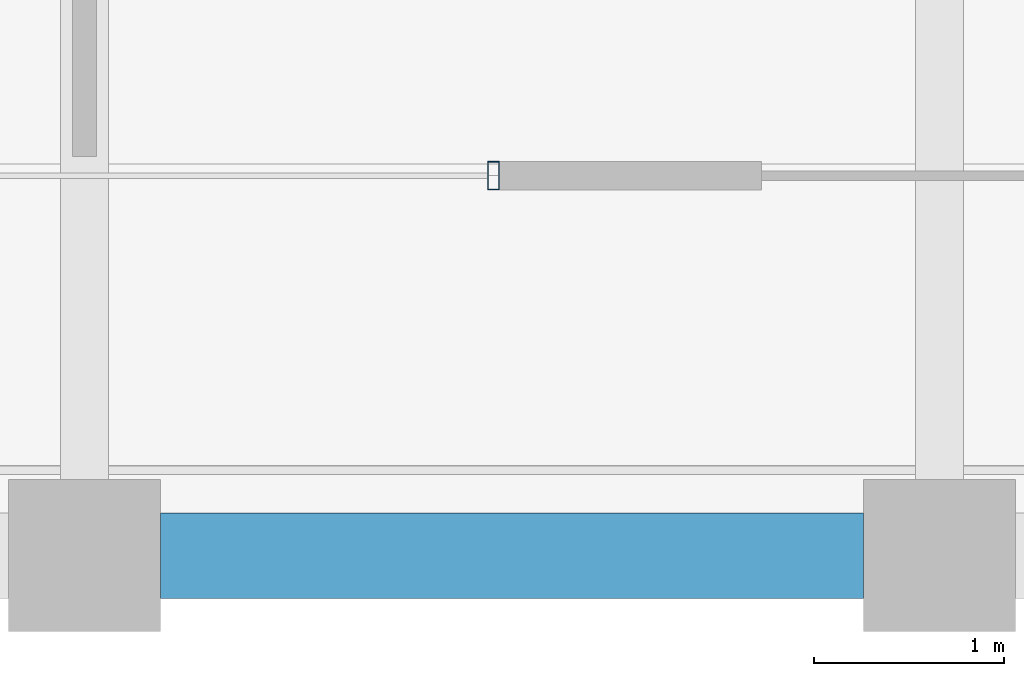
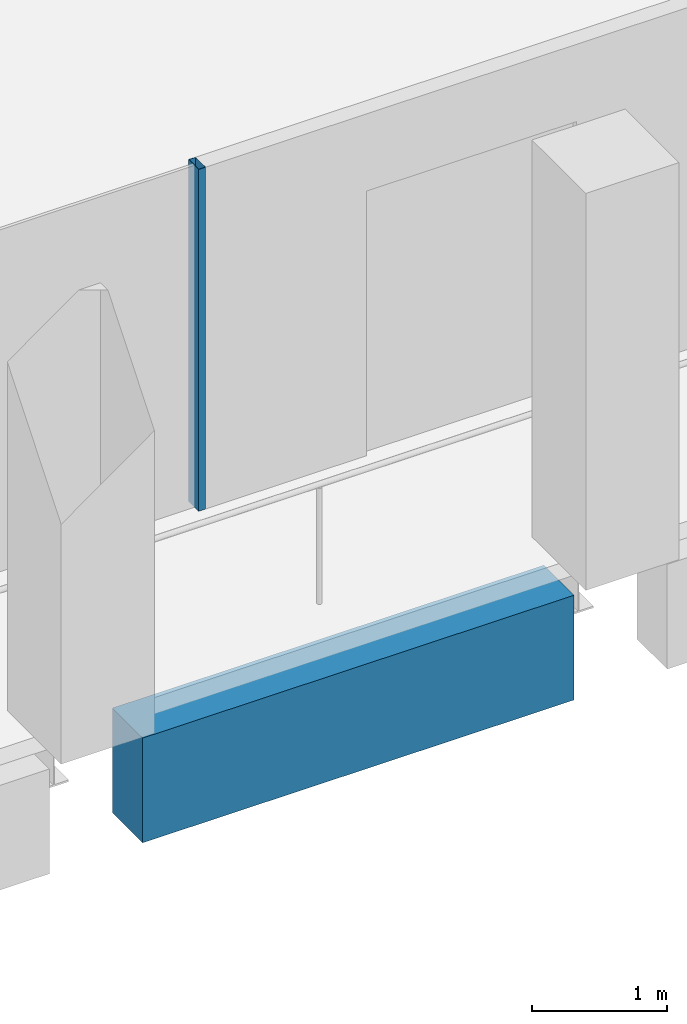
# One storey, part 7 of 30: 1 beam, 1 member, 1 element without a shape of its own.
"""IFC4 building model written with IfcOpenShell, lengths in metres."""

from ifc_helpers import new_model, si_unit, direction, frame, origin, origin_2d, place, context, subcontext, project, spatial, rectangle, hollow_rectangle, extrude, material, material_profile, profile_set, type_object, element, aggregate, save


model = new_model("IFC4")

# Units and contexts
model_context = context("Model", 3, precision=1e-05, world=origin(), true_north=direction((0.0, 1.0)))
body_context = subcontext(model_context, "Body", "Model", "MODEL_VIEW")
ifc_project = project(units=[si_unit("LENGTHUNIT", "METRE"), si_unit("AREAUNIT", "SQUARE_METRE"), si_unit("VOLUMEUNIT", "CUBIC_METRE"), si_unit("PLANEANGLEUNIT", "RADIAN"), si_unit("MASSUNIT", "GRAM", prefix="KILO")], contexts=[model_context])

# Site, building, storey
site_placement = place(None, origin())
site = spatial("IfcSite", under=ifc_project, at=site_placement, CompositionType="ELEMENT")
building_placement = place(site_placement, origin())
building = spatial("IfcBuilding", under=site, at=building_placement, Name="Altepetl Exchange Towers", CompositionType="ELEMENT")
storey_placement = place(building_placement, frame((0.0, 0.0, 231.60009765625)))
storey = spatial("IfcBuildingStorey", under=building, at=storey_placement, Name="L59", CompositionType="ELEMENT", Elevation=231.60009765625)

# Curtain wall, member
ifc_material_1 = material(Name="Aluminium 6063-T6 glazing", Category="aluminium")
curtain_wall_type = type_object("IfcCurtainWallType", Name="Loggia glazing system", PredefinedType="NOTDEFINED", material=ifc_material_1)
curtain_wall_placement = place(storey_placement, origin())
curtain_wall = element("IfcCurtainWall", 1, at=curtain_wall_placement, inside=storey, type_object=curtain_wall_type, Name="CW1 run", PredefinedType="NOTDEFINED")
ifc_material_2 = material(Name="Aluminium 6063-T6", Category="aluminium")
ifc_material_profile_1 = material_profile(ifc_material_2, hollow_rectangle(XDim=0.06005859375, YDim=0.14990234375, WallThickness=0.0029296875, at=origin_2d()), Name="Mullion 60x150 aluminium")
ifc_profile_set_1 = profile_set([ifc_material_profile_1], Name="Aluminium 6063-T6")
member_type = type_object("IfcMemberType", Name="Mullion 60x150 aluminium", PredefinedType="MULLION", material=ifc_profile_set_1)
member_placement = place(storey_placement, frame((47.152099609375, 29.0, 0.0)))
member = element("IfcMember", 2, at=member_placement, type_object=member_type, Name="MU1 mullion", PredefinedType="MULLION", context=body_context, shape_type="SweptSolid", body=[
    extrude(hollow_rectangle(XDim=0.06005859375, YDim=0.14990234375, WallThickness=0.0029296875, at=origin_2d()), origin(), (0.0, 0.0, 1.0), 3.099853515625),
])
aggregate(curtain_wall, [member])

# Beam
ifc_material_3 = material(Name="Concrete C50/60 precast with cantera blanca facing", Category="concrete")
ifc_material_profile_2 = material_profile(ifc_material_3, rectangle(XDim=0.449951171875, YDim=0.949951171875, at=origin_2d()), Name="450 x 950")
ifc_profile_set_2 = profile_set([ifc_material_profile_2], Name="Concrete C50/60 precast with cantera blanca facing")
beam_type = type_object("IfcBeamType", Name="Spandrel beam 450x950 cantera blanca", PredefinedType="SPANDREL", material=ifc_profile_set_2)
beam_placement = place(storey_placement, frame((45.39990234375, 27.0, -0.625), z_axis=(1.0, 0.0, 0.0), x_axis=(0.0, 1.0, 0.0)))
element("IfcBeam", 3, at=beam_placement, inside=storey, type_object=beam_type, Name="sp:A:L59:003", PredefinedType="SPANDREL", context=body_context, shape_type="SweptSolid", body=[
    extrude(rectangle(XDim=0.449951171875, YDim=0.949951171875, at=origin_2d()), origin(), (0.0, 0.0, 1.0), 3.7001953125),
])

save(model, "model.ifc")
